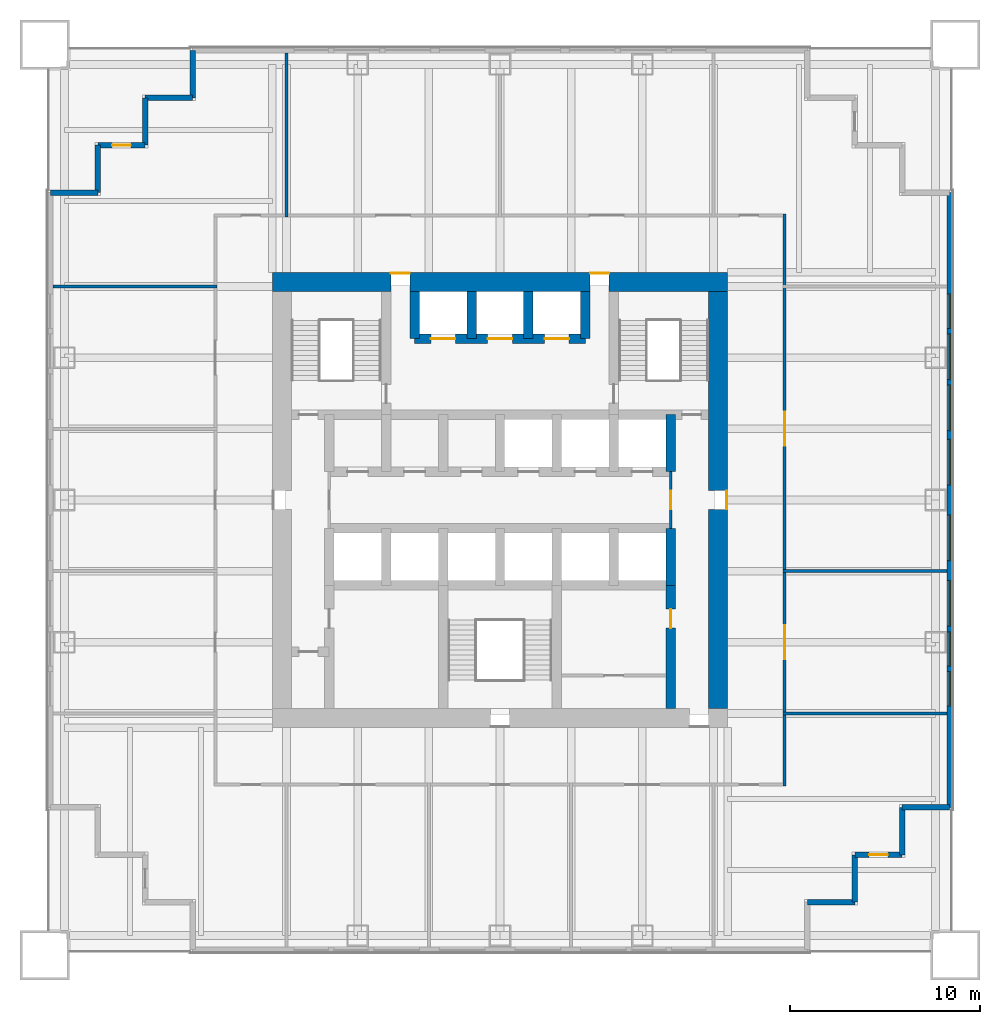
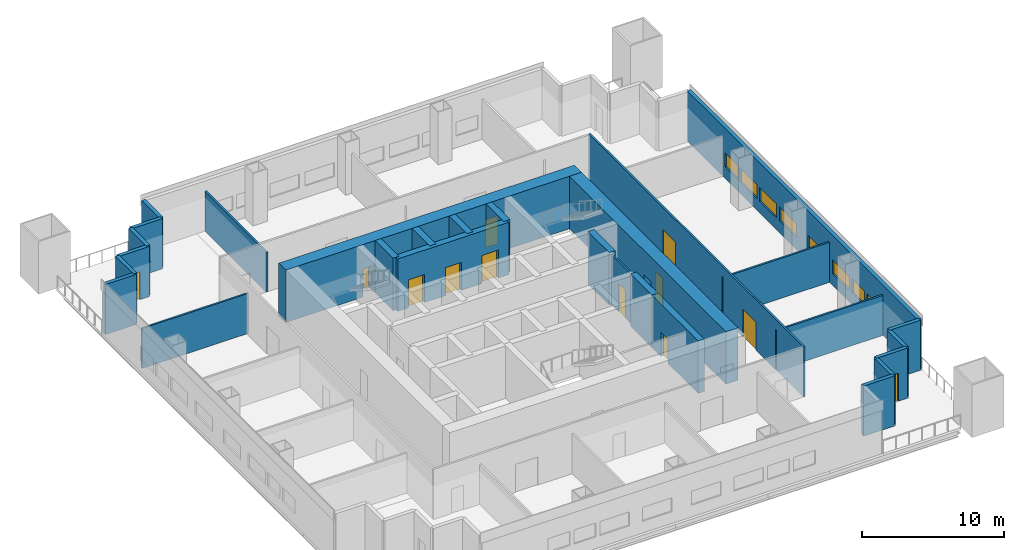
# One storey, part 4 of 7: 28 walls, 12 doors, 8 windows, 20 openings.
"""IFC4 building model written with IfcOpenShell, lengths in metres."""

from ifc_helpers import new_model, si_unit, direction, frame, frame_2d, origin, place, context, subcontext, project, spatial, rectangle, extrude, material, layer, layer_set, type_object, element, fill, save


model = new_model("IFC4")

# Units and contexts
model_context = context("Model", 3, precision=1e-05, world=origin(), true_north=direction((0.0, 1.0)))
body_context = subcontext(model_context, "Body", "Model", "MODEL_VIEW")
ifc_project = project(units=[si_unit("LENGTHUNIT", "METRE"), si_unit("AREAUNIT", "SQUARE_METRE"), si_unit("VOLUMEUNIT", "CUBIC_METRE"), si_unit("PLANEANGLEUNIT", "RADIAN"), si_unit("MASSUNIT", "GRAM", prefix="KILO")], contexts=[model_context])

# Site, building, storey
site_placement = place(None, origin())
site = spatial("IfcSite", under=ifc_project, at=site_placement, CompositionType="ELEMENT")
building_placement = place(site_placement, origin())
building = spatial("IfcBuilding", under=site, at=building_placement, Name="Tarangal Relay Tower", CompositionType="ELEMENT")
storey_placement = place(building_placement, frame((0.0, 0.0, 162.89990234375)))
storey = spatial("IfcBuildingStorey", under=building, at=storey_placement, Name="L33", CompositionType="ELEMENT", Elevation=162.89990234375)

# Wall, openings, doors
ifc_material_1 = material(Name="Concrete fc' 60 MPa", Category="concrete")
ifc_layer_1 = layer(ifc_material_1, 0.5)
ifc_layer_set_1 = layer_set([ifc_layer_1], Name="Core inner wall 500")
wall_type_1 = type_object("IfcWallType", Name="Core inner wall 500", PredefinedType="SHEAR", material=ifc_layer_set_1)
wall_1_placement = place(storey_placement, frame((-4.5, 8.5, 0.0), z_axis=(0.0, 0.0, 1.0), x_axis=(1.0, 0.0, 0.0)))
wall_1 = element("IfcWall", 1, at=wall_1_placement, inside=storey, type_object=wall_type_1, Name="Core wall Y85 L33", PredefinedType="SHEAR", context=body_context, shape_type="SweptSolid", body=[
    extrude(rectangle(XDim=9.0, YDim=0.5, at=frame_2d((4.5, 0.0))), origin(), (0.0, 0.0, 1.0), 4.5),
])
opening_1_placement = place(wall_1_placement, frame((0.85009765625, 0.0, 0.0)))
opening_1 = element("IfcOpeningElement", 2, at=opening_1_placement, cuts=wall_1, Name="Opening LD2", PredefinedType="OPENING", context=body_context, shape_type="SweptSolid", body=[
    extrude(rectangle(XDim=1.300048828125, YDim=2.39990234375, at=frame_2d((0.64990234375, 1.199951171875))), frame((0.0, 0.260009765625, 0.0), z_axis=(0.0, -1.0, 0.0), x_axis=(1.0, 0.0, 0.0)), (0.0, 0.0, 1.0), 0.52001953125),
])
opening_2_placement = place(wall_1_placement, frame((6.85009765625, 0.0, 0.0)))
opening_2 = element("IfcOpeningElement", 3, at=opening_2_placement, cuts=wall_1, Name="Opening LD2", PredefinedType="OPENING", context=body_context, shape_type="SweptSolid", body=[
    extrude(rectangle(XDim=1.300048828125, YDim=2.39990234375, at=frame_2d((0.64990234375, 1.199951171875))), frame((0.0, 0.260009765625, 0.0), z_axis=(0.0, -1.0, 0.0), x_axis=(1.0, 0.0, 0.0)), (0.0, 0.0, 1.0), 0.52001953125),
])
opening_3_placement = place(wall_1_placement, frame((3.85009765625, 0.0, 0.0)))
opening_3 = element("IfcOpeningElement", 4, at=opening_3_placement, cuts=wall_1, Name="Opening LD2", PredefinedType="OPENING", context=body_context, shape_type="SweptSolid", body=[
    extrude(rectangle(XDim=1.300048828125, YDim=2.39990234375, at=frame_2d((0.64990234375, 1.199951171875))), frame((0.0, 0.260009765625, 0.0), z_axis=(0.0, -1.0, 0.0), x_axis=(1.0, 0.0, 0.0)), (0.0, 0.0, 1.0), 0.52001953125),
])
ifc_material_2 = material(Name="Steel door with hardwood frame", Category="steel")
door_type_1 = type_object("IfcDoorType", Name="Lift landing door 1300 x 2400", OperationType="SLIDING_TO_LEFT", PredefinedType="DOOR", material=ifc_material_2)
door_1_placement = place(opening_1_placement, origin())
door_1 = element("IfcDoor", 5, at=door_1_placement, inside=storey, type_object=door_type_1, Name="Lift FF1 landing door L33", OperationType="SLIDING_TO_LEFT", OverallHeight=2.39990234375, OverallWidth=1.300048828125, PredefinedType="DOOR", context=body_context, shape_type="SweptSolid", body=[
    extrude(rectangle(XDim=1.300048828125, YDim=2.39990234375, at=frame_2d((0.64990234375, 1.199951171875))), frame((0.0, 0.02490234375, 0.0), z_axis=(0.0, -1.0, 0.0), x_axis=(1.0, 0.0, 0.0)), (0.0, 0.0, 1.0), 0.050048828125),
])
fill(opening_1, door_1)
door_2_placement = place(opening_2_placement, origin())
door_2 = element("IfcDoor", 6, at=door_2_placement, inside=storey, type_object=door_type_1, Name="Lift FF2 landing door L33", OperationType="SLIDING_TO_LEFT", OverallHeight=2.39990234375, OverallWidth=1.300048828125, PredefinedType="DOOR", context=body_context, shape_type="SweptSolid", body=[
    extrude(rectangle(XDim=1.300048828125, YDim=2.39990234375, at=frame_2d((0.64990234375, 1.199951171875))), frame((0.0, 0.02490234375, 0.0), z_axis=(0.0, -1.0, 0.0), x_axis=(1.0, 0.0, 0.0)), (0.0, 0.0, 1.0), 0.050048828125),
])
fill(opening_2, door_2)
door_3_placement = place(opening_3_placement, origin())
door_3 = element("IfcDoor", 7, at=door_3_placement, inside=storey, type_object=door_type_1, Name="Lift SV1 landing door L33", OperationType="SLIDING_TO_LEFT", OverallHeight=2.39990234375, OverallWidth=1.300048828125, PredefinedType="DOOR", context=body_context, shape_type="SweptSolid", body=[
    extrude(rectangle(XDim=1.300048828125, YDim=2.39990234375, at=frame_2d((0.64990234375, 1.199951171875))), frame((0.0, 0.02490234375, 0.0), z_axis=(0.0, -1.0, 0.0), x_axis=(1.0, 0.0, 0.0)), (0.0, 0.0, 1.0), 0.050048828125),
])
fill(opening_3, door_3)

# Walls
for number, where, z_axis, x_axis, name in (
    (8, (9.0, 1.5, 0.0), (0.0, 0.0, 1.0), (0.0, 1.0, 0.0), "Core wall X9N L33"),
    (9, (9.0, -4.5, 0.0), (0.0, 0.0, 1.0), (0.0, 1.0, 0.0), "Core wall X9S L33"),
):
    element("IfcWall", number, at=place(storey_placement, frame(where, z_axis=z_axis, x_axis=x_axis)), inside=storey, type_object=wall_type_1, Name=name, PredefinedType="SHEAR", context=body_context, shape_type="SweptSolid", body=[
        extrude(rectangle(XDim=3.0, YDim=0.5, at=frame_2d((1.5, 0.0))), origin(), (0.0, 0.0, 1.0), 4.5),
    ])
for number, where, z_axis, x_axis, name in (
    (10, (-4.5, 8.5, 0.0), (0.0, 0.0, 1.0), (0.0, 1.0, 0.0), "Core wall XM45 L33"),
    (11, (4.5, 8.5, 0.0), (0.0, 0.0, 1.0), (0.0, 1.0, 0.0), "Core wall X45 L33"),
    (12, (-1.5, 8.5, 0.0), (0.0, 0.0, 1.0), (0.0, 1.0, 0.0), "Core wall XM15 L33"),
    (13, (1.5, 8.5, 0.0), (0.0, 0.0, 1.0), (0.0, 1.0, 0.0), "Core wall X15 L33"),
):
    element("IfcWall", number, at=place(storey_placement, frame(where, z_axis=z_axis, x_axis=x_axis)), inside=storey, type_object=wall_type_1, Name=name, PredefinedType="SHEAR", context=body_context, shape_type="SweptSolid", body=[
        extrude(rectangle(XDim=2.5, YDim=0.5, at=frame_2d((1.25, 0.0))), origin(), (0.0, 0.0, 1.0), 4.5),
    ])

# Wall, opening, door
wall_2_placement = place(storey_placement, frame((9.0, -11.0, 0.0), z_axis=(0.0, 0.0, 1.0), x_axis=(0.0, 1.0, 0.0)))
wall_2 = element("IfcWall", 14, at=wall_2_placement, inside=storey, type_object=wall_type_1, Name="Core wall X9W L33", PredefinedType="SHEAR", context=body_context, shape_type="SweptSolid", body=[
    extrude(rectangle(XDim=6.5, YDim=0.5, at=frame_2d((3.25, 0.0))), origin(), (0.0, 0.0, 1.0), 4.5),
])
opening_4_placement = place(wall_2_placement, frame((4.25, 0.0, 0.0)))
opening_4 = element("IfcOpeningElement", 15, at=opening_4_placement, cuts=wall_2, Name="Opening D1", PredefinedType="OPENING", context=body_context, shape_type="SweptSolid", body=[
    extrude(rectangle(XDim=1.0, YDim=2.10009765625, at=frame_2d((0.5, 1.050048828125))), frame((0.0, 0.260009765625, 0.0), z_axis=(0.0, -1.0, 0.0), x_axis=(1.0, 0.0, 0.0)), (0.0, 0.0, 1.0), 0.52001953125),
])
ifc_material_3 = material(Name="Hardwood door", Category="wood")
door_type_2 = type_object("IfcDoorType", Name="WC door 1000 x 2100", OperationType="SINGLE_SWING_LEFT", PredefinedType="DOOR", material=ifc_material_3)
door_4_placement = place(opening_4_placement, origin())
door_4 = element("IfcDoor", 16, at=door_4_placement, inside=storey, type_object=door_type_2, Name="Female WC door L33", OperationType="SINGLE_SWING_LEFT", OverallHeight=2.10009765625, OverallWidth=1.0, PredefinedType="DOOR", context=body_context, shape_type="SweptSolid", body=[
    extrude(rectangle(XDim=1.0, YDim=2.10009765625, at=frame_2d((0.5, 1.050048828125))), frame((0.0, 0.02490234375, 0.0), z_axis=(0.0, -1.0, 0.0), x_axis=(1.0, 0.0, 0.0)), (0.0, 0.0, 1.0), 0.050048828125),
])
fill(opening_4, door_4)

# Wall, openings, doors
ifc_layer_2 = layer(ifc_material_1, 1.0)
ifc_layer_set_2 = layer_set([ifc_layer_2], Name="Core wall 1000")
wall_type_2 = type_object("IfcWallType", Name="Core wall 1000", PredefinedType="SHEAR", material=ifc_layer_set_2)
wall_3_placement = place(storey_placement, frame((-12.0, 11.5, 0.0), z_axis=(0.0, 0.0, 1.0), x_axis=(1.0, 0.0, 0.0)))
wall_3 = element("IfcWall", 17, at=wall_3_placement, inside=storey, type_object=wall_type_2, Name="Core wall N L33", PredefinedType="SHEAR", context=body_context, shape_type="SweptSolid", body=[
    extrude(rectangle(XDim=24.0, YDim=1.0, at=frame_2d((12.0, 0.0))), origin(), (0.0, 0.0, 1.0), 4.5),
])
opening_5_placement = place(wall_3_placement, frame((6.25, 0.0, 0.0)))
opening_5 = element("IfcOpeningElement", 18, at=opening_5_placement, cuts=wall_3, Name="Opening FD3", PredefinedType="OPENING", context=body_context, shape_type="SweptSolid", body=[
    extrude(rectangle(XDim=1.0, YDim=2.39990234375, at=frame_2d((0.5, 1.199951171875))), frame((0.0, 0.510009765625, 0.0), z_axis=(0.0, -1.0, 0.0), x_axis=(1.0, 0.0, 0.0)), (0.0, 0.0, 1.0), 1.02001953125),
])
opening_6_placement = place(wall_3_placement, frame((16.75, 0.0, 0.0)))
opening_6 = element("IfcOpeningElement", 19, at=opening_6_placement, cuts=wall_3, Name="Opening FD3", PredefinedType="OPENING", context=body_context, shape_type="SweptSolid", body=[
    extrude(rectangle(XDim=1.0, YDim=2.39990234375, at=frame_2d((0.5, 1.199951171875))), frame((0.0, 0.510009765625, 0.0), z_axis=(0.0, -1.0, 0.0), x_axis=(1.0, 0.0, 0.0)), (0.0, 0.0, 1.0), 1.02001953125),
])
door_type_3 = type_object("IfcDoorType", Name="Fire door 1000 x 2400 core entry", OperationType="SINGLE_SWING_RIGHT", PredefinedType="DOOR", material=ifc_material_2)
door_5_placement = place(opening_5_placement, origin())
door_5 = element("IfcDoor", 20, at=door_5_placement, inside=storey, type_object=door_type_3, Name="Core entry door north west L33", OperationType="SINGLE_SWING_RIGHT", OverallHeight=2.39990234375, OverallWidth=1.0, PredefinedType="DOOR", context=body_context, shape_type="SweptSolid", body=[
    extrude(rectangle(XDim=1.0, YDim=2.39990234375, at=frame_2d((0.5, 1.199951171875))), frame((0.0, 0.48486328125, 0.0), z_axis=(0.0, -1.0, 0.0), x_axis=(1.0, 0.0, 0.0)), (0.0, 0.0, 1.0), 0.050048828125),
])
fill(opening_5, door_5)
door_6_placement = place(opening_6_placement, origin())
door_6 = element("IfcDoor", 21, at=door_6_placement, inside=storey, type_object=door_type_3, Name="Core entry door north east L33", OperationType="SINGLE_SWING_RIGHT", OverallHeight=2.39990234375, OverallWidth=1.0, PredefinedType="DOOR", context=body_context, shape_type="SweptSolid", body=[
    extrude(rectangle(XDim=1.0, YDim=2.39990234375, at=frame_2d((0.5, 1.199951171875))), frame((0.0, 0.48486328125, 0.0), z_axis=(0.0, -1.0, 0.0), x_axis=(1.0, 0.0, 0.0)), (0.0, 0.0, 1.0), 0.050048828125),
])
fill(opening_6, door_6)

# Wall, opening, door
wall_4_placement = place(storey_placement, frame((11.5, 11.0, 0.0), z_axis=(0.0, 0.0, 1.0), x_axis=(0.0, -1.0, 0.0)))
wall_4 = element("IfcWall", 22, at=wall_4_placement, inside=storey, type_object=wall_type_2, Name="Core wall E L33", PredefinedType="SHEAR", context=body_context, shape_type="SweptSolid", body=[
    extrude(rectangle(XDim=22.0, YDim=1.0, at=frame_2d((11.0, 0.0))), origin(), (0.0, 0.0, 1.0), 4.5),
])
opening_7_placement = place(wall_4_placement, frame((10.5, 0.0, 0.0)))
opening_7 = element("IfcOpeningElement", 23, at=opening_7_placement, cuts=wall_4, Name="Opening FD3", PredefinedType="OPENING", context=body_context, shape_type="SweptSolid", body=[
    extrude(rectangle(XDim=1.0, YDim=2.39990234375, at=frame_2d((0.5, 1.199951171875))), frame((0.0, 0.510009765625, 0.0), z_axis=(0.0, -1.0, 0.0), x_axis=(1.0, 0.0, 0.0)), (0.0, 0.0, 1.0), 1.02001953125),
])
door_7_placement = place(opening_7_placement, origin())
door_7 = element("IfcDoor", 24, at=door_7_placement, inside=storey, type_object=door_type_3, Name="Core entry door east L33", OperationType="SINGLE_SWING_RIGHT", OverallHeight=2.39990234375, OverallWidth=1.0, PredefinedType="DOOR", context=body_context, shape_type="SweptSolid", body=[
    extrude(rectangle(XDim=1.0, YDim=2.39990234375, at=frame_2d((0.5, 1.199951171875))), frame((0.0, 0.48486328125, 0.0), z_axis=(0.0, -1.0, 0.0), x_axis=(1.0, 0.0, 0.0)), (0.0, 0.0, 1.0), 0.050048828125),
])
fill(opening_7, door_7)

# Wall, openings, windows
ifc_material_4 = material(Name="Insulated precast concrete fc' 40 MPa", Category="concrete")
ifc_layer_3 = layer(ifc_material_4, 0.300048828125)
ifc_layer_set_3 = layer_set([ifc_layer_3], Name="Insulated precast concrete fc' 40 MPa")
wall_type_3 = type_object("IfcWallType", Name="Facade wall precast 300", PredefinedType="SOLIDWALL", material=ifc_layer_set_3)
wall_5_placement = place(storey_placement, frame((23.699951171875, 16.199951171875, 0.0), z_axis=(0.0, 0.0, 1.0), x_axis=(0.0, -1.0, 0.0)))
wall_5 = element("IfcWall", 25, at=wall_5_placement, inside=storey, type_object=wall_type_3, Name="Facade wall E facade L33", PredefinedType="SOLIDWALL", context=body_context, shape_type="SweptSolid", body=[
    extrude(rectangle(XDim=32.39990234375, YDim=0.300048828125, at=frame_2d((16.199951171875, 0.0))), origin(), (0.0, 0.0, 1.0), 4.300048828125),
])
opening_8_placement = place(wall_5_placement, frame((5.35009765625, 0.0, 1.0)))
opening_8 = element("IfcOpeningElement", 26, at=opening_8_placement, cuts=wall_5, Name="Opening WN5", PredefinedType="OPENING", context=body_context, shape_type="SweptSolid", body=[
    extrude(rectangle(XDim=1.800048828125, YDim=1.199951171875, at=frame_2d((0.89990234375, 0.60009765625))), frame((0.0, 0.159912109375, 0.0), z_axis=(0.0, -1.0, 0.0), x_axis=(1.0, 0.0, 0.0)), (0.0, 0.0, 1.0), 0.320068359375),
])
opening_9_placement = place(wall_5_placement, frame((7.449951171875, 0.0, 1.0)))
opening_9 = element("IfcOpeningElement", 27, at=opening_9_placement, cuts=wall_5, Name="Opening WN1", PredefinedType="OPENING", context=body_context, shape_type="SweptSolid", body=[
    extrude(rectangle(XDim=2.39990234375, YDim=1.199951171875, at=frame_2d((1.199951171875, 0.60009765625))), frame((0.0, 0.159912109375, 0.0), z_axis=(0.0, -1.0, 0.0), x_axis=(1.0, 0.0, 0.0)), (0.0, 0.0, 1.0), 0.320068359375),
])
opening_10_placement = place(wall_5_placement, frame((10.14990234375, 0.0, 1.0)))
opening_10 = element("IfcOpeningElement", 28, at=opening_10_placement, cuts=wall_5, Name="Opening WN1", PredefinedType="OPENING", context=body_context, shape_type="SweptSolid", body=[
    extrude(rectangle(XDim=2.39990234375, YDim=1.199951171875, at=frame_2d((1.199951171875, 0.60009765625))), frame((0.0, 0.159912109375, 0.0), z_axis=(0.0, -1.0, 0.0), x_axis=(1.0, 0.0, 0.0)), (0.0, 0.0, 1.0), 0.320068359375),
])
opening_11_placement = place(wall_5_placement, frame((13.0, 0.0, 1.0)))
opening_11 = element("IfcOpeningElement", 29, at=opening_11_placement, cuts=wall_5, Name="Opening WN1", PredefinedType="OPENING", context=body_context, shape_type="SweptSolid", body=[
    extrude(rectangle(XDim=2.39990234375, YDim=1.199951171875, at=frame_2d((1.199951171875, 0.60009765625))), frame((0.0, 0.159912109375, 0.0), z_axis=(0.0, -1.0, 0.0), x_axis=(1.0, 0.0, 0.0)), (0.0, 0.0, 1.0), 0.320068359375),
])
opening_12_placement = place(wall_5_placement, frame((17.0, 0.0, 1.0)))
opening_12 = element("IfcOpeningElement", 30, at=opening_12_placement, cuts=wall_5, Name="Opening WN1", PredefinedType="OPENING", context=body_context, shape_type="SweptSolid", body=[
    extrude(rectangle(XDim=2.39990234375, YDim=1.199951171875, at=frame_2d((1.199951171875, 0.60009765625))), frame((0.0, 0.159912109375, 0.0), z_axis=(0.0, -1.0, 0.0), x_axis=(1.0, 0.0, 0.0)), (0.0, 0.0, 1.0), 0.320068359375),
])
opening_13_placement = place(wall_5_placement, frame((20.449951171875, 0.0, 1.0)))
opening_13 = element("IfcOpeningElement", 31, at=opening_13_placement, cuts=wall_5, Name="Opening WN1", PredefinedType="OPENING", context=body_context, shape_type="SweptSolid", body=[
    extrude(rectangle(XDim=2.39990234375, YDim=1.199951171875, at=frame_2d((1.199951171875, 0.60009765625))), frame((0.0, 0.159912109375, 0.0), z_axis=(0.0, -1.0, 0.0), x_axis=(1.0, 0.0, 0.0)), (0.0, 0.0, 1.0), 0.320068359375),
])
opening_14_placement = place(wall_5_placement, frame((23.14990234375, 0.0, 1.0)))
opening_14 = element("IfcOpeningElement", 32, at=opening_14_placement, cuts=wall_5, Name="Opening WN5", PredefinedType="OPENING", context=body_context, shape_type="SweptSolid", body=[
    extrude(rectangle(XDim=1.800048828125, YDim=1.199951171875, at=frame_2d((0.89990234375, 0.60009765625))), frame((0.0, 0.159912109375, 0.0), z_axis=(0.0, -1.0, 0.0), x_axis=(1.0, 0.0, 0.0)), (0.0, 0.0, 1.0), 0.320068359375),
])
opening_15_placement = place(wall_5_placement, frame((25.25, 0.0, 1.0)))
opening_15 = element("IfcOpeningElement", 33, at=opening_15_placement, cuts=wall_5, Name="Opening WN5", PredefinedType="OPENING", context=body_context, shape_type="SweptSolid", body=[
    extrude(rectangle(XDim=1.800048828125, YDim=1.199951171875, at=frame_2d((0.89990234375, 0.60009765625))), frame((0.0, 0.159912109375, 0.0), z_axis=(0.0, -1.0, 0.0), x_axis=(1.0, 0.0, 0.0)), (0.0, 0.0, 1.0), 0.320068359375),
])
ifc_material_5 = material(Name="Dark tinted double glazing in black aluminium frame", Category="aluminium")
window_type_1 = type_object("IfcWindowType", Name="Ribbon window 1800 x 1200", PartitioningType="SINGLE_PANEL", PredefinedType="WINDOW", material=ifc_material_5)
window_1_placement = place(opening_8_placement, origin())
window_1 = element("IfcWindow", 34, at=window_1_placement, inside=storey, type_object=window_type_1, Name="Ribbon window WN5 E facade L33", OverallHeight=1.199951171875, OverallWidth=1.800048828125, PartitioningType="SINGLE_PANEL", PredefinedType="WINDOW", context=body_context, shape_type="SweptSolid", body=[
    extrude(rectangle(XDim=1.800048828125, YDim=1.199951171875, at=frame_2d((0.89990234375, 0.60009765625))), frame((0.0, 0.030029296875, 0.0), z_axis=(0.0, -1.0, 0.0), x_axis=(1.0, 0.0, 0.0)), (0.0, 0.0, 1.0), 0.06005859375),
])
fill(opening_8, window_1)
window_2_placement = place(opening_14_placement, origin())
window_2 = element("IfcWindow", 35, at=window_2_placement, inside=storey, type_object=window_type_1, Name="Ribbon window WN5 E facade L33", OverallHeight=1.199951171875, OverallWidth=1.800048828125, PartitioningType="SINGLE_PANEL", PredefinedType="WINDOW", context=body_context, shape_type="SweptSolid", body=[
    extrude(rectangle(XDim=1.800048828125, YDim=1.199951171875, at=frame_2d((0.89990234375, 0.60009765625))), frame((0.0, 0.030029296875, 0.0), z_axis=(0.0, -1.0, 0.0), x_axis=(1.0, 0.0, 0.0)), (0.0, 0.0, 1.0), 0.06005859375),
])
fill(opening_14, window_2)
window_3_placement = place(opening_15_placement, origin())
window_3 = element("IfcWindow", 36, at=window_3_placement, inside=storey, type_object=window_type_1, Name="Ribbon window WN5 E facade L33", OverallHeight=1.199951171875, OverallWidth=1.800048828125, PartitioningType="SINGLE_PANEL", PredefinedType="WINDOW", context=body_context, shape_type="SweptSolid", body=[
    extrude(rectangle(XDim=1.800048828125, YDim=1.199951171875, at=frame_2d((0.89990234375, 0.60009765625))), frame((0.0, 0.030029296875, 0.0), z_axis=(0.0, -1.0, 0.0), x_axis=(1.0, 0.0, 0.0)), (0.0, 0.0, 1.0), 0.06005859375),
])
fill(opening_15, window_3)
window_type_2 = type_object("IfcWindowType", Name="Ribbon window 2400 x 1200", PartitioningType="SINGLE_PANEL", PredefinedType="WINDOW", material=ifc_material_5)
window_4_placement = place(opening_9_placement, origin())
window_4 = element("IfcWindow", 37, at=window_4_placement, inside=storey, type_object=window_type_2, Name="Ribbon window WN1 E facade L33", OverallHeight=1.199951171875, OverallWidth=2.39990234375, PartitioningType="SINGLE_PANEL", PredefinedType="WINDOW", context=body_context, shape_type="SweptSolid", body=[
    extrude(rectangle(XDim=2.39990234375, YDim=1.199951171875, at=frame_2d((1.199951171875, 0.60009765625))), frame((0.0, 0.030029296875, 0.0), z_axis=(0.0, -1.0, 0.0), x_axis=(1.0, 0.0, 0.0)), (0.0, 0.0, 1.0), 0.06005859375),
])
fill(opening_9, window_4)
window_5_placement = place(opening_10_placement, origin())
window_5 = element("IfcWindow", 38, at=window_5_placement, inside=storey, type_object=window_type_2, Name="Ribbon window WN1 E facade L33", OverallHeight=1.199951171875, OverallWidth=2.39990234375, PartitioningType="SINGLE_PANEL", PredefinedType="WINDOW", context=body_context, shape_type="SweptSolid", body=[
    extrude(rectangle(XDim=2.39990234375, YDim=1.199951171875, at=frame_2d((1.199951171875, 0.60009765625))), frame((0.0, 0.030029296875, 0.0), z_axis=(0.0, -1.0, 0.0), x_axis=(1.0, 0.0, 0.0)), (0.0, 0.0, 1.0), 0.06005859375),
])
fill(opening_10, window_5)
window_6_placement = place(opening_11_placement, origin())
window_6 = element("IfcWindow", 39, at=window_6_placement, inside=storey, type_object=window_type_2, Name="Ribbon window WN1 E facade L33", OverallHeight=1.199951171875, OverallWidth=2.39990234375, PartitioningType="SINGLE_PANEL", PredefinedType="WINDOW", context=body_context, shape_type="SweptSolid", body=[
    extrude(rectangle(XDim=2.39990234375, YDim=1.199951171875, at=frame_2d((1.199951171875, 0.60009765625))), frame((0.0, 0.030029296875, 0.0), z_axis=(0.0, -1.0, 0.0), x_axis=(1.0, 0.0, 0.0)), (0.0, 0.0, 1.0), 0.06005859375),
])
fill(opening_11, window_6)
window_7_placement = place(opening_12_placement, origin())
window_7 = element("IfcWindow", 40, at=window_7_placement, inside=storey, type_object=window_type_2, Name="Ribbon window WN1 E facade L33", OverallHeight=1.199951171875, OverallWidth=2.39990234375, PartitioningType="SINGLE_PANEL", PredefinedType="WINDOW", context=body_context, shape_type="SweptSolid", body=[
    extrude(rectangle(XDim=2.39990234375, YDim=1.199951171875, at=frame_2d((1.199951171875, 0.60009765625))), frame((0.0, 0.030029296875, 0.0), z_axis=(0.0, -1.0, 0.0), x_axis=(1.0, 0.0, 0.0)), (0.0, 0.0, 1.0), 0.06005859375),
])
fill(opening_12, window_7)
window_8_placement = place(opening_13_placement, origin())
window_8 = element("IfcWindow", 41, at=window_8_placement, inside=storey, type_object=window_type_2, Name="Ribbon window WN1 E facade L33", OverallHeight=1.199951171875, OverallWidth=2.39990234375, PartitioningType="SINGLE_PANEL", PredefinedType="WINDOW", context=body_context, shape_type="SweptSolid", body=[
    extrude(rectangle(XDim=2.39990234375, YDim=1.199951171875, at=frame_2d((1.199951171875, 0.60009765625))), frame((0.0, 0.030029296875, 0.0), z_axis=(0.0, -1.0, 0.0), x_axis=(1.0, 0.0, 0.0)), (0.0, 0.0, 1.0), 0.06005859375),
])
fill(opening_13, window_8)

# Walls
for number, where, z_axis, x_axis, name in (
    (42, (23.699951171875, -16.199951171875, 0.0), (0.0, 0.0, 1.0), (-1.0, 0.0, 0.0), "Facade wall E facade L33"),
    (43, (21.199951171875, -16.199951171875, 0.0), (0.0, 0.0, 1.0), (0.0, -1.0, 0.0), "Facade wall E facade L33"),
):
    element("IfcWall", number, at=place(storey_placement, frame(where, z_axis=z_axis, x_axis=x_axis)), inside=storey, type_object=wall_type_3, Name=name, PredefinedType="SOLIDWALL", context=body_context, shape_type="SweptSolid", body=[
        extrude(rectangle(XDim=2.5, YDim=0.300048828125, at=frame_2d((1.25, 0.0))), origin(), (0.0, 0.0, 1.0), 4.300048828125),
    ])

# Wall, opening, door
wall_6_placement = place(storey_placement, frame((21.199951171875, -18.699951171875, 0.0), z_axis=(0.0, 0.0, 1.0), x_axis=(-1.0, 0.0, 0.0)))
wall_6 = element("IfcWall", 44, at=wall_6_placement, inside=storey, type_object=wall_type_3, Name="Facade wall E facade L33", PredefinedType="SOLIDWALL", context=body_context, shape_type="SweptSolid", body=[
    extrude(rectangle(XDim=2.5, YDim=0.300048828125, at=frame_2d((1.25, 0.0))), origin(), (0.0, 0.0, 1.0), 4.300048828125),
])
opening_16_placement = place(wall_6_placement, frame((0.75, 0.0, 0.0)))
opening_16 = element("IfcOpeningElement", 45, at=opening_16_placement, cuts=wall_6, Name="Opening TD1", PredefinedType="OPENING", context=body_context, shape_type="SweptSolid", body=[
    extrude(rectangle(XDim=1.0, YDim=2.39990234375, at=frame_2d((0.5, 1.199951171875))), frame((0.0, 0.159912109375, 0.0), z_axis=(0.0, -1.0, 0.0), x_axis=(1.0, 0.0, 0.0)), (0.0, 0.0, 1.0), 0.320068359375),
])
ifc_material_6 = material(Name="Aluminium glazed door", Category="aluminium")
door_type_4 = type_object("IfcDoorType", Name="Terrace door 1000 x 2400", OperationType="SINGLE_SWING_RIGHT", PredefinedType="DOOR", material=ifc_material_6)
door_8_placement = place(opening_16_placement, origin())
door_8 = element("IfcDoor", 46, at=door_8_placement, inside=storey, type_object=door_type_4, Name="Terrace door TD1 SE L33", OperationType="SINGLE_SWING_RIGHT", OverallHeight=2.39990234375, OverallWidth=1.0, PredefinedType="DOOR", context=body_context, shape_type="SweptSolid", body=[
    extrude(rectangle(XDim=1.0, YDim=2.39990234375, at=frame_2d((0.5, 1.199951171875))), frame((0.0, 0.02490234375, 0.0), z_axis=(0.0, -1.0, 0.0), x_axis=(1.0, 0.0, 0.0)), (0.0, 0.0, 1.0), 0.050048828125),
])
fill(opening_16, door_8)

# Walls
for number, where, z_axis, x_axis, name in (
    (47, (18.699951171875, -18.699951171875, 0.0), (0.0, 0.0, 1.0), (0.0, -1.0, 0.0), "Facade wall E facade L33"),
    (48, (18.699951171875, -21.199951171875, 0.0), (0.0, 0.0, 1.0), (-1.0, 0.0, 0.0), "Facade wall E facade L33"),
    (49, (-23.699951171875, 16.199951171875, 0.0), (0.0, 0.0, 1.0), (1.0, 0.0, 0.0), "Facade wall W facade L33"),
    (50, (-21.199951171875, 16.199951171875, 0.0), (0.0, 0.0, 1.0), (0.0, 1.0, 0.0), "Facade wall W facade L33"),
):
    element("IfcWall", number, at=place(storey_placement, frame(where, z_axis=z_axis, x_axis=x_axis)), inside=storey, type_object=wall_type_3, Name=name, PredefinedType="SOLIDWALL", context=body_context, shape_type="SweptSolid", body=[
        extrude(rectangle(XDim=2.5, YDim=0.300048828125, at=frame_2d((1.25, 0.0))), origin(), (0.0, 0.0, 1.0), 4.300048828125),
    ])

# Wall, opening, door
wall_7_placement = place(storey_placement, frame((-21.199951171875, 18.699951171875, 0.0), z_axis=(0.0, 0.0, 1.0), x_axis=(1.0, 0.0, 0.0)))
wall_7 = element("IfcWall", 51, at=wall_7_placement, inside=storey, type_object=wall_type_3, Name="Facade wall W facade L33", PredefinedType="SOLIDWALL", context=body_context, shape_type="SweptSolid", body=[
    extrude(rectangle(XDim=2.5, YDim=0.300048828125, at=frame_2d((1.25, 0.0))), origin(), (0.0, 0.0, 1.0), 4.300048828125),
])
opening_17_placement = place(wall_7_placement, frame((0.75, 0.0, 0.0)))
opening_17 = element("IfcOpeningElement", 52, at=opening_17_placement, cuts=wall_7, Name="Opening TD1", PredefinedType="OPENING", context=body_context, shape_type="SweptSolid", body=[
    extrude(rectangle(XDim=1.0, YDim=2.39990234375, at=frame_2d((0.5, 1.199951171875))), frame((0.0, 0.159912109375, 0.0), z_axis=(0.0, -1.0, 0.0), x_axis=(1.0, 0.0, 0.0)), (0.0, 0.0, 1.0), 0.320068359375),
])
door_9_placement = place(opening_17_placement, origin())
door_9 = element("IfcDoor", 53, at=door_9_placement, inside=storey, type_object=door_type_4, Name="Terrace door TD1 NW L33", OperationType="SINGLE_SWING_RIGHT", OverallHeight=2.39990234375, OverallWidth=1.0, PredefinedType="DOOR", context=body_context, shape_type="SweptSolid", body=[
    extrude(rectangle(XDim=1.0, YDim=2.39990234375, at=frame_2d((0.5, 1.199951171875))), frame((0.0, 0.02490234375, 0.0), z_axis=(0.0, -1.0, 0.0), x_axis=(1.0, 0.0, 0.0)), (0.0, 0.0, 1.0), 0.050048828125),
])
fill(opening_17, door_9)

# Walls
for number, where, z_axis, x_axis, name in (
    (54, (-18.699951171875, 18.699951171875, 0.0), (0.0, 0.0, 1.0), (0.0, 1.0, 0.0), "Facade wall W facade L33"),
    (55, (-18.699951171875, 21.199951171875, 0.0), (0.0, 0.0, 1.0), (1.0, 0.0, 0.0), "Facade wall W facade L33"),
    (56, (-16.199951171875, 21.199951171875, 0.0), (0.0, 0.0, 1.0), (0.0, 1.0, 0.0), "Facade wall W facade L33"),
):
    element("IfcWall", number, at=place(storey_placement, frame(where, z_axis=z_axis, x_axis=x_axis)), inside=storey, type_object=wall_type_3, Name=name, PredefinedType="SOLIDWALL", context=body_context, shape_type="SweptSolid", body=[
        extrude(rectangle(XDim=2.5, YDim=0.300048828125, at=frame_2d((1.25, 0.0))), origin(), (0.0, 0.0, 1.0), 4.300048828125),
    ])
ifc_material_7 = material(Name="Gypsum board on steel studs", Category="steel")
ifc_layer_4 = layer(ifc_material_7, 0.14990234375)
ifc_layer_set_4 = layer_set([ifc_layer_4], Name="Partition 150")
wall_type_4 = type_object("IfcWallType", Name="Partition 150", PredefinedType="PARTITIONING", material=ifc_layer_set_4)
for number, where, z_axis, x_axis, name in (
    (57, (14.925048828125, -11.25, 0.0), (0.0, 0.0, 1.0), (1.0, 0.0, 0.0), "Partition PT1 L33"),
    (58, (14.925048828125, -3.75, 0.0), (0.0, 0.0, 1.0), (1.0, 0.0, 0.0), "Partition PT1 L33"),
    (59, (-23.550048828125, 11.25, 0.0), (0.0, 0.0, 1.0), (1.0, 0.0, 0.0), "Partition PT1 L33"),
    (60, (-11.25, 14.925048828125, 0.0), (0.0, 0.0, 1.0), (0.0, 1.0, 0.0), "Partition PT1 L33"),
):
    element("IfcWall", number, at=place(storey_placement, frame(where, z_axis=z_axis, x_axis=x_axis)), inside=storey, type_object=wall_type_4, Name=name, PredefinedType="PARTITIONING", context=body_context, shape_type="SweptSolid", body=[
        extrude(rectangle(XDim=8.625, YDim=0.14990234375, at=frame_2d((4.3125, 0.0))), origin(), (0.0, 0.0, 1.0), 3.431396484375),
    ])

# Wall, openings, doors
wall_8_placement = place(storey_placement, frame((15.0, -15.074951171875, 0.0), z_axis=(0.0, 0.0, 1.0), x_axis=(0.0, 1.0, 0.0)))
wall_8 = element("IfcWall", 61, at=wall_8_placement, inside=storey, type_object=wall_type_4, Name="Partition PT1 L33", PredefinedType="PARTITIONING", context=body_context, shape_type="SweptSolid", body=[
    extrude(rectangle(XDim=30.14990234375, YDim=0.14990234375, at=frame_2d((15.074951171875, 0.0))), origin(), (0.0, 0.0, 1.0), 4.300048828125),
])
opening_18_placement = place(wall_8_placement, frame((17.925048828125, 0.0, 0.0)))
opening_18 = element("IfcOpeningElement", 62, at=opening_18_placement, cuts=wall_8, Name="Opening DD1", PredefinedType="OPENING", context=body_context, shape_type="SweptSolid", body=[
    extrude(rectangle(XDim=1.800048828125, YDim=2.39990234375, at=frame_2d((0.89990234375, 1.199951171875))), frame((0.0, 0.0849609375, 0.0), z_axis=(0.0, -1.0, 0.0), x_axis=(1.0, 0.0, 0.0)), (0.0, 0.0, 1.0), 0.169921875),
])
opening_19_placement = place(wall_8_placement, frame((6.675048828125, 0.0, 0.0)))
opening_19 = element("IfcOpeningElement", 63, at=opening_19_placement, cuts=wall_8, Name="Opening DD1", PredefinedType="OPENING", context=body_context, shape_type="SweptSolid", body=[
    extrude(rectangle(XDim=1.800048828125, YDim=2.39990234375, at=frame_2d((0.89990234375, 1.199951171875))), frame((0.0, 0.0849609375, 0.0), z_axis=(0.0, -1.0, 0.0), x_axis=(1.0, 0.0, 0.0)), (0.0, 0.0, 1.0), 0.169921875),
])
door_type_5 = type_object("IfcDoorType", Name="Equipment double door 1800 x 2400", OperationType="DOUBLE_DOOR_SINGLE_SWING", PredefinedType="DOOR", material=ifc_material_2)
door_10_placement = place(opening_18_placement, origin())
door_10 = element("IfcDoor", 64, at=door_10_placement, inside=storey, type_object=door_type_5, Name="Door DD1 to telecom equipment room L33-04", OperationType="DOUBLE_DOOR_SINGLE_SWING", OverallHeight=2.39990234375, OverallWidth=1.800048828125, PredefinedType="DOOR", context=body_context, shape_type="SweptSolid", body=[
    extrude(rectangle(XDim=1.800048828125, YDim=2.39990234375, at=frame_2d((0.89990234375, 1.199951171875))), frame((0.0, 0.02490234375, 0.0), z_axis=(0.0, -1.0, 0.0), x_axis=(1.0, 0.0, 0.0)), (0.0, 0.0, 1.0), 0.050048828125),
])
fill(opening_18, door_10)
door_11_placement = place(opening_19_placement, origin())
door_11 = element("IfcDoor", 65, at=door_11_placement, inside=storey, type_object=door_type_5, Name="Door DD1 to microwave and antenna room L33-05", OperationType="DOUBLE_DOOR_SINGLE_SWING", OverallHeight=2.39990234375, OverallWidth=1.800048828125, PredefinedType="DOOR", context=body_context, shape_type="SweptSolid", body=[
    extrude(rectangle(XDim=1.800048828125, YDim=2.39990234375, at=frame_2d((0.89990234375, 1.199951171875))), frame((0.0, 0.02490234375, 0.0), z_axis=(0.0, -1.0, 0.0), x_axis=(1.0, 0.0, 0.0)), (0.0, 0.0, 1.0), 0.050048828125),
])
fill(opening_19, door_11)

# Wall, opening, door
wall_9_placement = place(storey_placement, frame((9.0, -1.5, 0.0), z_axis=(0.0, 0.0, 1.0), x_axis=(0.0, 1.0, 0.0)))
wall_9 = element("IfcWall", 66, at=wall_9_placement, inside=storey, type_object=wall_type_4, Name="Partition PT1 L33", PredefinedType="PARTITIONING", context=body_context, shape_type="SweptSolid", body=[
    extrude(rectangle(XDim=3.0, YDim=0.14990234375, at=frame_2d((1.5, 0.0))), origin(), (0.0, 0.0, 1.0), 4.25),
])
opening_20_placement = place(wall_9_placement, frame((1.0, 0.0, 0.0)))
opening_20 = element("IfcOpeningElement", 67, at=opening_20_placement, cuts=wall_9, Name="Opening FD3", PredefinedType="OPENING", context=body_context, shape_type="SweptSolid", body=[
    extrude(rectangle(XDim=1.0, YDim=2.39990234375, at=frame_2d((0.5, 1.199951171875))), frame((0.0, 0.0849609375, 0.0), z_axis=(0.0, -1.0, 0.0), x_axis=(1.0, 0.0, 0.0)), (0.0, 0.0, 1.0), 0.169921875),
])
door_12_placement = place(opening_20_placement, origin())
door_12 = element("IfcDoor", 68, at=door_12_placement, inside=storey, type_object=door_type_3, Name="Lift lobby door FD3 to the east corridor L33", OperationType="SINGLE_SWING_RIGHT", OverallHeight=2.39990234375, OverallWidth=1.0, PredefinedType="DOOR", context=body_context, shape_type="SweptSolid", body=[
    extrude(rectangle(XDim=1.0, YDim=2.39990234375, at=frame_2d((0.5, 1.199951171875))), frame((0.0, 0.02490234375, 0.0), z_axis=(0.0, -1.0, 0.0), x_axis=(1.0, 0.0, 0.0)), (0.0, 0.0, 1.0), 0.050048828125),
])
fill(opening_20, door_12)

save(model, "model.ifc")
